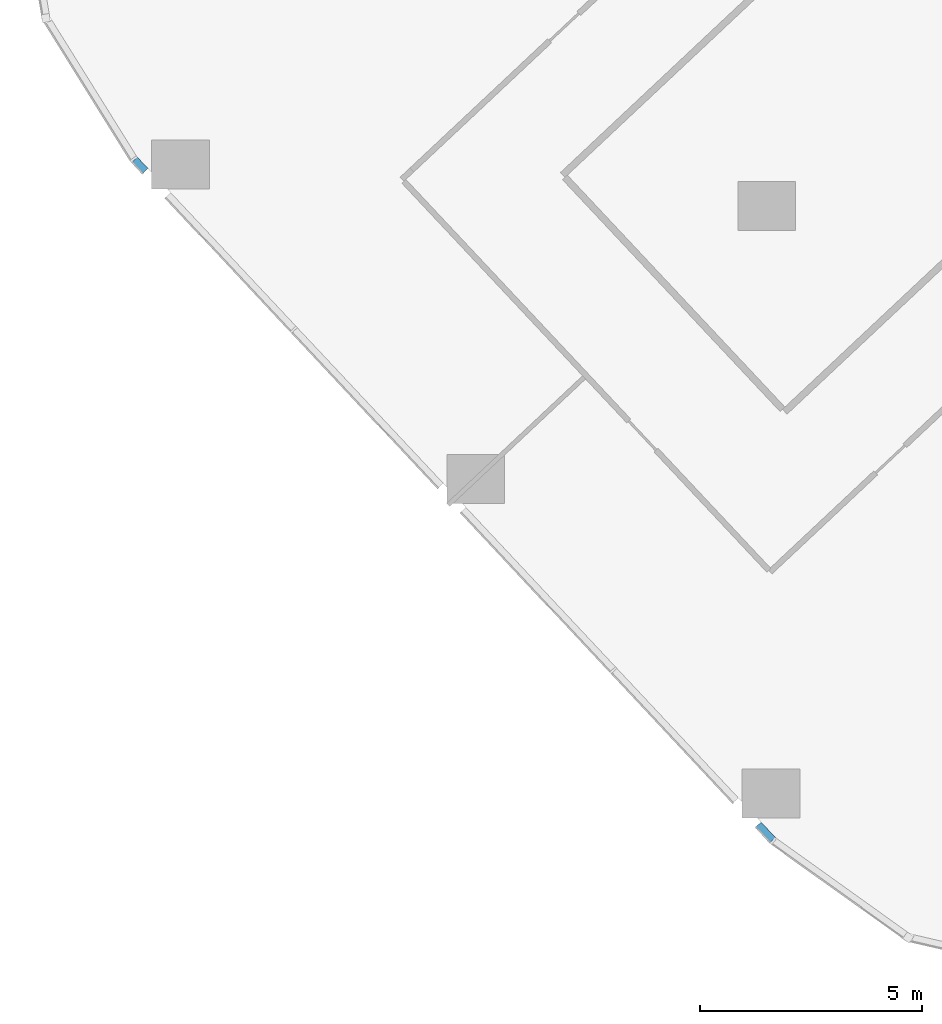
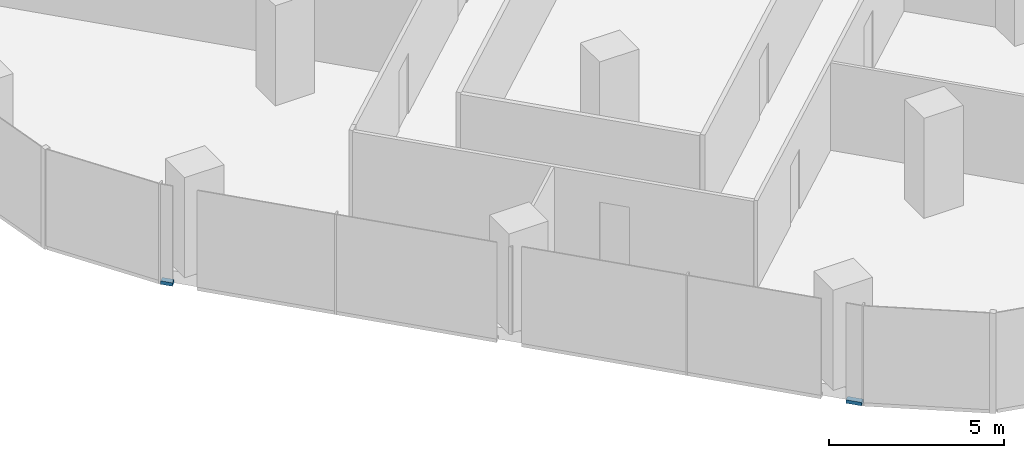
# One storey, part 15 of 34: 2 members, 1 element without a shape of its own.
"""IFC4 building model written with IfcOpenShell, lengths in metres."""

from ifc_helpers import new_model, si_unit, direction, frame, origin, origin_2d, place, context, subcontext, project, spatial, rectangle, extrude, material, material_profile, profile_set, type_object, element, aggregate, save


model = new_model("IFC4")

# Units and contexts
model_context = context("Model", 3, precision=1e-05, world=origin(), true_north=direction((0.0, 1.0)))
body_context = subcontext(model_context, "Body", "Model", "MODEL_VIEW")
ifc_project = project(units=[si_unit("LENGTHUNIT", "METRE"), si_unit("AREAUNIT", "SQUARE_METRE"), si_unit("VOLUMEUNIT", "CUBIC_METRE"), si_unit("PLANEANGLEUNIT", "RADIAN"), si_unit("MASSUNIT", "GRAM", prefix="KILO")], contexts=[model_context])

# Site, building, storey
site_placement = place(None, origin())
site = spatial("IfcSite", under=ifc_project, at=site_placement, CompositionType="ELEMENT")
building_placement = place(site_placement, origin())
building = spatial("IfcBuilding", under=site, at=building_placement, Name="Orlundy Tower", CompositionType="ELEMENT")
storey_placement = place(building_placement, frame((0.0, 0.0, 40.800048828125)))
storey = spatial("IfcBuildingStorey", under=building, at=storey_placement, Name="L08", CompositionType="ELEMENT", Elevation=40.800048828125)

# Curtain wall, members
ifc_material_1 = material(Name="Aluminium bronze anodised", Category="aluminium")
curtain_wall_type = type_object("IfcCurtainWallType", Name="CW1 wall", PredefinedType="NOTDEFINED", material=ifc_material_1)
curtain_wall_placement = place(storey_placement, origin())
curtain_wall = element("IfcCurtainWall", 1, at=curtain_wall_placement, inside=storey, type_object=curtain_wall_type, Name="CW1 run 023", PredefinedType="NOTDEFINED")
ifc_material_2 = material(Name="Aluminium bronze anodised", Category="aluminium")
ifc_material_profile = material_profile(ifc_material_2, rectangle(XDim=0.179931640625, YDim=0.1201171875, at=origin_2d()), Name="CW1 transom 180x120")
ifc_profile_set = profile_set([ifc_material_profile], Name="Aluminium bronze anodised")
member_type = type_object("IfcMemberType", Name="CW1 transom 180x120", PredefinedType="USERDEFINED", material=ifc_profile_set)
member_1_placement = place(storey_placement, frame((-37.019775390625, -49.09765625, -0.360107421875), z_axis=(-0.683941128881, 0.72953720414, 0.0), x_axis=(-0.72953720414, -0.683941128881, 0.0)))
member_1 = element("IfcMember", 2, at=member_1_placement, type_object=member_type, Name="CW1 transom", ObjectType="TRANSOM", PredefinedType="USERDEFINED", context=body_context, shape_type="SweptSolid", body=[
    extrude(rectangle(XDim=0.179931640625, YDim=0.1201171875, at=origin_2d()), origin(), (0.0, 0.0, 1.0), 0.47119140625),
])
member_2_placement = place(storey_placement, frame((-51.125, -34.059814453125, -0.360107421875), z_axis=(-0.684080292396, 0.729406713401, 0.0), x_axis=(-0.729406713401, -0.684080292396, 0.0)))
member_2 = element("IfcMember", 3, at=member_2_placement, type_object=member_type, Name="CW1 transom", ObjectType="TRANSOM", PredefinedType="USERDEFINED", context=body_context, shape_type="SweptSolid", body=[
    extrude(rectangle(XDim=0.179931640625, YDim=0.1201171875, at=origin_2d()), origin(), (0.0, 0.0, 1.0), 0.35009765625),
])
aggregate(curtain_wall, [member_1, member_2])

save(model, "model.ifc")
